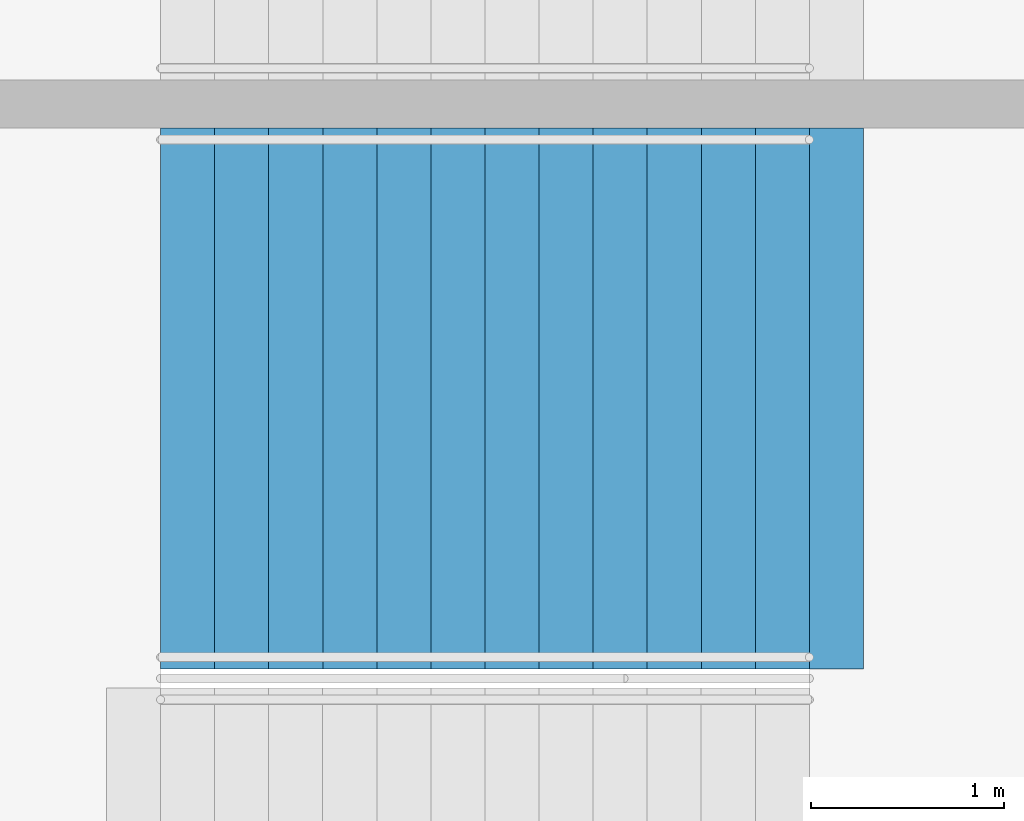
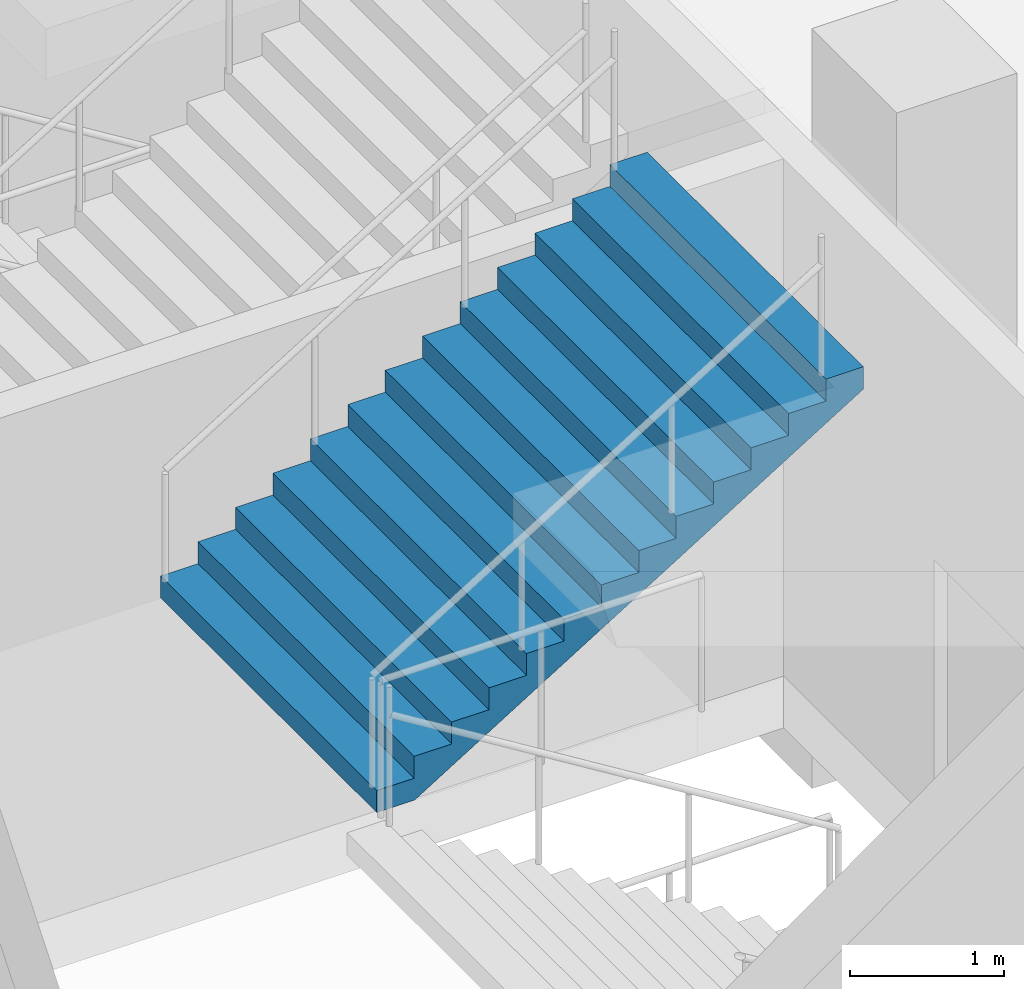
# One storey, part 114 of 199: 1 stair flight, 1 element without a shape of its own.
"""IFC4 building model written with IfcOpenShell, lengths in metres."""

from ifc_helpers import new_model, si_unit, direction, frame, origin, place, context, subcontext, project, spatial, faceted_brep, material, type_object, element, aggregate, save


model = new_model("IFC4")

# Units and contexts
model_context = context("Model", 3, precision=1e-05, world=origin(), true_north=direction((0.0, 1.0)))
body_context = subcontext(model_context, "Body", "Model", "MODEL_VIEW")
ifc_project = project(units=[si_unit("LENGTHUNIT", "METRE"), si_unit("AREAUNIT", "SQUARE_METRE"), si_unit("VOLUMEUNIT", "CUBIC_METRE"), si_unit("PLANEANGLEUNIT", "RADIAN"), si_unit("MASSUNIT", "GRAM", prefix="KILO")], contexts=[model_context])

# Site, building, storey
site_placement = place(None, origin())
site = spatial("IfcSite", under=ifc_project, at=site_placement, CompositionType="ELEMENT")
building_placement = place(site_placement, origin())
building = spatial("IfcBuilding", under=site, at=building_placement, Name="Ogive Plaza Stadium", CompositionType="ELEMENT")
storey_placement = place(building_placement, frame((0.0, 0.0, 9.0)))
storey = spatial("IfcBuildingStorey", under=building, at=storey_placement, Name="L02", CompositionType="ELEMENT", Elevation=9.0)

# Stair, stair flight
ifc_material_1 = material(Name="Concrete C40/50", Category="concrete")
stair_type = type_object("IfcStairType", Name="Exit stair", PredefinedType="STRAIGHT_RUN_STAIR", material=ifc_material_1)
stair_placement = place(storey_placement, origin())
stair = element("IfcStair", 1, at=stair_placement, inside=storey, type_object=stair_type, Name="Exit stair ST22B L02 to L03", PredefinedType="STRAIGHT_RUN_STAIR")
ifc_material_2 = material(Name="Concrete C40/50", Category="concrete")
stair_flight_type = type_object("IfcStairFlightType", Name="Exit stair flight", PredefinedType="STRAIGHT", material=ifc_material_2)
stair_flight_placement = place(storey_placement, frame((-79.7099609375, -39.02490234375, 2.25), z_axis=(0.0, 0.0, 1.0), x_axis=(1.0, 0.0, 0.0)))
stair_flight = element("IfcStairFlight", 2, at=stair_flight_placement, type_object=stair_flight_type, Name="ST22B flight 2", NumberOfRisers=13, NumberOfTreads=12, PredefinedType="STRAIGHT", RiserHeight=0.173076923, TreadLength=0.28, context=body_context, shape_type="Brep", body=[
    faceted_brep([(0.28515625, -1.39990234375, 0.0), (3.639892578125, -1.39990234375, 2.07373046875), (3.639892578125, -1.39990234375, 2.25), (3.360107421875, -1.39990234375, 2.25), (3.360107421875, -1.39990234375, 2.076904296875), (3.080078125, -1.39990234375, 2.076904296875), (3.080078125, -1.39990234375, 1.90380859375), (2.800048828125, -1.39990234375, 1.90380859375), (2.800048828125, -1.39990234375, 1.730712890625), (2.52001953125, -1.39990234375, 1.730712890625), (2.52001953125, -1.39990234375, 1.5576171875), (2.239990234375, -1.39990234375, 1.5576171875), (2.239990234375, -1.39990234375, 1.384521484375), (1.9599609375, -1.39990234375, 1.384521484375), (1.9599609375, -1.39990234375, 1.21142578125), (1.679931640625, -1.39990234375, 1.21142578125), (1.679931640625, -1.39990234375, 1.03857421875), (1.39990234375, -1.39990234375, 1.03857421875), (1.39990234375, -1.39990234375, 0.865478515625), (1.1201171875, -1.39990234375, 0.865478515625), (1.1201171875, -1.39990234375, 0.6923828125), (0.840087890625, -1.39990234375, 0.6923828125), (0.840087890625, -1.39990234375, 0.519287109375), (0.56005859375, -1.39990234375, 0.519287109375), (0.56005859375, -1.39990234375, 0.34619140625), (0.280029296875, -1.39990234375, 0.34619140625), (0.280029296875, -1.39990234375, 0.173095703125), (0.0, -1.39990234375, 0.173095703125), (0.0, -1.39990234375, 0.0), (0.0, 1.39990234375, 0.0), (0.0, 1.39990234375, 0.173095703125), (0.280029296875, 1.39990234375, 0.173095703125), (0.280029296875, 1.39990234375, 0.34619140625), (0.56005859375, 1.39990234375, 0.34619140625), (0.56005859375, 1.39990234375, 0.519287109375), (0.840087890625, 1.39990234375, 0.519287109375), (0.840087890625, 1.39990234375, 0.6923828125), (1.1201171875, 1.39990234375, 0.6923828125), (1.1201171875, 1.39990234375, 0.865478515625), (1.39990234375, 1.39990234375, 0.865478515625), (1.39990234375, 1.39990234375, 1.03857421875), (1.679931640625, 1.39990234375, 1.03857421875), (1.679931640625, 1.39990234375, 1.21142578125), (1.9599609375, 1.39990234375, 1.21142578125), (1.9599609375, 1.39990234375, 1.384521484375), (2.239990234375, 1.39990234375, 1.384521484375), (2.239990234375, 1.39990234375, 1.5576171875), (2.52001953125, 1.39990234375, 1.5576171875), (2.52001953125, 1.39990234375, 1.730712890625), (2.800048828125, 1.39990234375, 1.730712890625), (2.800048828125, 1.39990234375, 1.90380859375), (3.080078125, 1.39990234375, 1.90380859375), (3.080078125, 1.39990234375, 2.076904296875), (3.360107421875, 1.39990234375, 2.076904296875), (3.360107421875, 1.39990234375, 2.25), (3.639892578125, 1.39990234375, 2.25), (3.639892578125, 1.39990234375, 2.07373046875), (0.28515625, 1.39990234375, 0.0), (0.28515625, -1.0888671875, 0.0), (3.639892578125, -1.0888671875, 2.07373046875), (0.28515625, -0.77783203125, 0.0), (3.639892578125, -0.77783203125, 2.07373046875), (0.28515625, -0.466796875, 0.0), (3.639892578125, -0.466796875, 2.07373046875), (0.28515625, -0.155517578125, 0.0), (3.639892578125, -0.155517578125, 2.07373046875), (0.28515625, 0.155517578125, 0.0), (3.639892578125, 0.155517578125, 2.07373046875), (0.28515625, 0.466796875, 0.0), (3.639892578125, 0.466796875, 2.07373046875), (0.28515625, 0.77783203125, 0.0), (3.639892578125, 0.77783203125, 2.07373046875), (0.28515625, 1.0888671875, 0.0), (3.639892578125, 1.0888671875, 2.07373046875), (3.639892578125, -1.0888671875, 2.25), (3.639892578125, -0.77783203125, 2.25), (3.639892578125, -0.466796875, 2.25), (3.639892578125, -0.155517578125, 2.25), (3.639892578125, 0.155517578125, 2.25), (3.639892578125, 0.466796875, 2.25), (3.639892578125, 0.77783203125, 2.25), (3.639892578125, 1.0888671875, 2.25), (3.360107421875, -1.0888671875, 2.25), (3.360107421875, -0.77783203125, 2.25), (3.360107421875, -0.466796875, 2.25), (3.360107421875, -0.155517578125, 2.25), (3.360107421875, 0.155517578125, 2.25), (3.360107421875, 0.466796875, 2.25), (3.360107421875, 0.77783203125, 2.25), (3.360107421875, 1.0888671875, 2.25), (3.360107421875, -1.0888671875, 2.076904296875), (3.360107421875, -0.77783203125, 2.076904296875), (3.360107421875, -0.466796875, 2.076904296875), (3.360107421875, -0.155517578125, 2.076904296875), (3.360107421875, 0.155517578125, 2.076904296875), (3.360107421875, 0.466796875, 2.076904296875), (3.360107421875, 0.77783203125, 2.076904296875), (3.360107421875, 1.0888671875, 2.076904296875), (3.080078125, -1.0888671875, 2.076904296875), (3.080078125, -0.77783203125, 2.076904296875), (3.080078125, -0.466796875, 2.076904296875), (3.080078125, -0.155517578125, 2.076904296875), (3.080078125, 0.155517578125, 2.076904296875), (3.080078125, 0.466796875, 2.076904296875), (3.080078125, 0.77783203125, 2.076904296875), (3.080078125, 1.0888671875, 2.076904296875), (3.080078125, -1.0888671875, 1.90380859375), (3.080078125, -0.77783203125, 1.90380859375), (3.080078125, -0.466796875, 1.90380859375), (3.080078125, -0.155517578125, 1.90380859375), (3.080078125, 0.155517578125, 1.90380859375), (3.080078125, 0.466796875, 1.90380859375), (3.080078125, 0.77783203125, 1.90380859375), (3.080078125, 1.0888671875, 1.90380859375), (2.800048828125, -1.0888671875, 1.90380859375), (2.800048828125, -0.77783203125, 1.90380859375), (2.800048828125, -0.466796875, 1.90380859375), (2.800048828125, -0.155517578125, 1.90380859375), (2.800048828125, 0.155517578125, 1.90380859375), (2.800048828125, 0.466796875, 1.90380859375), (2.800048828125, 0.77783203125, 1.90380859375), (2.800048828125, 1.0888671875, 1.90380859375), (2.800048828125, -1.0888671875, 1.730712890625), (2.800048828125, -0.77783203125, 1.730712890625), (2.800048828125, -0.466796875, 1.730712890625), (2.800048828125, -0.155517578125, 1.730712890625), (2.800048828125, 0.155517578125, 1.730712890625), (2.800048828125, 0.466796875, 1.730712890625), (2.800048828125, 0.77783203125, 1.730712890625), (2.800048828125, 1.0888671875, 1.730712890625), (2.52001953125, -1.0888671875, 1.730712890625), (2.52001953125, -0.77783203125, 1.730712890625), (2.52001953125, -0.466796875, 1.730712890625), (2.52001953125, -0.155517578125, 1.730712890625), (2.52001953125, 0.155517578125, 1.730712890625), (2.52001953125, 0.466796875, 1.730712890625), (2.52001953125, 0.77783203125, 1.730712890625), (2.52001953125, 1.0888671875, 1.730712890625), (2.52001953125, -1.0888671875, 1.5576171875), (2.52001953125, -0.77783203125, 1.5576171875), (2.52001953125, -0.466796875, 1.5576171875), (2.52001953125, -0.155517578125, 1.5576171875), (2.52001953125, 0.155517578125, 1.5576171875), (2.52001953125, 0.466796875, 1.5576171875), (2.52001953125, 0.77783203125, 1.5576171875), (2.52001953125, 1.0888671875, 1.5576171875), (2.239990234375, -1.0888671875, 1.5576171875), (2.239990234375, -0.77783203125, 1.5576171875), (2.239990234375, -0.466796875, 1.5576171875), (2.239990234375, -0.155517578125, 1.5576171875), (2.239990234375, 0.155517578125, 1.5576171875), (2.239990234375, 0.466796875, 1.5576171875), (2.239990234375, 0.77783203125, 1.5576171875), (2.239990234375, 1.0888671875, 1.5576171875), (2.239990234375, -1.0888671875, 1.384521484375), (2.239990234375, -0.77783203125, 1.384521484375), (2.239990234375, -0.466796875, 1.384521484375), (2.239990234375, -0.155517578125, 1.384521484375), (2.239990234375, 0.155517578125, 1.384521484375), (2.239990234375, 0.466796875, 1.384521484375), (2.239990234375, 0.77783203125, 1.384521484375), (2.239990234375, 1.0888671875, 1.384521484375), (1.9599609375, -1.0888671875, 1.384521484375), (1.9599609375, -0.77783203125, 1.384521484375), (1.9599609375, -0.466796875, 1.384521484375), (1.9599609375, -0.155517578125, 1.384521484375), (1.9599609375, 0.155517578125, 1.384521484375), (1.9599609375, 0.466796875, 1.384521484375), (1.9599609375, 0.77783203125, 1.384521484375), (1.9599609375, 1.0888671875, 1.384521484375), (1.9599609375, -1.0888671875, 1.21142578125), (1.9599609375, -0.77783203125, 1.21142578125), (1.9599609375, -0.466796875, 1.21142578125), (1.9599609375, -0.155517578125, 1.21142578125), (1.9599609375, 0.155517578125, 1.21142578125), (1.9599609375, 0.466796875, 1.21142578125), (1.9599609375, 0.77783203125, 1.21142578125), (1.9599609375, 1.0888671875, 1.21142578125), (1.679931640625, -1.0888671875, 1.21142578125), (1.679931640625, -0.77783203125, 1.21142578125), (1.679931640625, -0.466796875, 1.21142578125), (1.679931640625, -0.155517578125, 1.21142578125), (1.679931640625, 0.155517578125, 1.21142578125), (1.679931640625, 0.466796875, 1.21142578125), (1.679931640625, 0.77783203125, 1.21142578125), (1.679931640625, 1.0888671875, 1.21142578125), (1.679931640625, -1.0888671875, 1.03857421875), (1.679931640625, -0.77783203125, 1.03857421875), (1.679931640625, -0.466796875, 1.03857421875), (1.679931640625, -0.155517578125, 1.03857421875), (1.679931640625, 0.155517578125, 1.03857421875), (1.679931640625, 0.466796875, 1.03857421875), (1.679931640625, 0.77783203125, 1.03857421875), (1.679931640625, 1.0888671875, 1.03857421875), (1.39990234375, -1.0888671875, 1.03857421875), (1.39990234375, -0.77783203125, 1.03857421875), (1.39990234375, -0.466796875, 1.03857421875), (1.39990234375, -0.155517578125, 1.03857421875), (1.39990234375, 0.155517578125, 1.03857421875), (1.39990234375, 0.466796875, 1.03857421875), (1.39990234375, 0.77783203125, 1.03857421875), (1.39990234375, 1.0888671875, 1.03857421875), (1.39990234375, -1.0888671875, 0.865478515625), (1.39990234375, -0.77783203125, 0.865478515625), (1.39990234375, -0.466796875, 0.865478515625), (1.39990234375, -0.155517578125, 0.865478515625), (1.39990234375, 0.155517578125, 0.865478515625), (1.39990234375, 0.466796875, 0.865478515625), (1.39990234375, 0.77783203125, 0.865478515625), (1.39990234375, 1.0888671875, 0.865478515625), (1.1201171875, -1.0888671875, 0.865478515625), (1.1201171875, -0.77783203125, 0.865478515625), (1.1201171875, -0.466796875, 0.865478515625), (1.1201171875, -0.155517578125, 0.865478515625), (1.1201171875, 0.155517578125, 0.865478515625), (1.1201171875, 0.466796875, 0.865478515625), (1.1201171875, 0.77783203125, 0.865478515625), (1.1201171875, 1.0888671875, 0.865478515625), (1.1201171875, -1.0888671875, 0.6923828125), (1.1201171875, -0.77783203125, 0.6923828125), (1.1201171875, -0.466796875, 0.6923828125), (1.1201171875, -0.155517578125, 0.6923828125), (1.1201171875, 0.155517578125, 0.6923828125), (1.1201171875, 0.466796875, 0.6923828125), (1.1201171875, 0.77783203125, 0.6923828125), (1.1201171875, 1.0888671875, 0.6923828125), (0.840087890625, -1.0888671875, 0.6923828125), (0.840087890625, -0.77783203125, 0.6923828125), (0.840087890625, -0.466796875, 0.6923828125), (0.840087890625, -0.155517578125, 0.6923828125), (0.840087890625, 0.155517578125, 0.6923828125), (0.840087890625, 0.466796875, 0.6923828125), (0.840087890625, 0.77783203125, 0.6923828125), (0.840087890625, 1.0888671875, 0.6923828125), (0.840087890625, -1.0888671875, 0.519287109375), (0.840087890625, -0.77783203125, 0.519287109375), (0.840087890625, -0.466796875, 0.519287109375), (0.840087890625, -0.155517578125, 0.519287109375), (0.840087890625, 0.155517578125, 0.519287109375), (0.840087890625, 0.466796875, 0.519287109375), (0.840087890625, 0.77783203125, 0.519287109375), (0.840087890625, 1.0888671875, 0.519287109375), (0.56005859375, -1.0888671875, 0.519287109375), (0.56005859375, -0.77783203125, 0.519287109375), (0.56005859375, -0.466796875, 0.519287109375), (0.56005859375, -0.155517578125, 0.519287109375), (0.56005859375, 0.155517578125, 0.519287109375), (0.56005859375, 0.466796875, 0.519287109375), (0.56005859375, 0.77783203125, 0.519287109375), (0.56005859375, 1.0888671875, 0.519287109375), (0.56005859375, -1.0888671875, 0.34619140625), (0.56005859375, -0.77783203125, 0.34619140625), (0.56005859375, -0.466796875, 0.34619140625), (0.56005859375, -0.155517578125, 0.34619140625), (0.56005859375, 0.155517578125, 0.34619140625), (0.56005859375, 0.466796875, 0.34619140625), (0.56005859375, 0.77783203125, 0.34619140625), (0.56005859375, 1.0888671875, 0.34619140625), (0.280029296875, -1.0888671875, 0.34619140625), (0.280029296875, -0.77783203125, 0.34619140625), (0.280029296875, -0.466796875, 0.34619140625), (0.280029296875, -0.155517578125, 0.34619140625), (0.280029296875, 0.155517578125, 0.34619140625), (0.280029296875, 0.466796875, 0.34619140625), (0.280029296875, 0.77783203125, 0.34619140625), (0.280029296875, 1.0888671875, 0.34619140625), (0.280029296875, -1.0888671875, 0.173095703125), (0.280029296875, -0.77783203125, 0.173095703125), (0.280029296875, -0.466796875, 0.173095703125), (0.280029296875, -0.155517578125, 0.173095703125), (0.280029296875, 0.155517578125, 0.173095703125), (0.280029296875, 0.466796875, 0.173095703125), (0.280029296875, 0.77783203125, 0.173095703125), (0.280029296875, 1.0888671875, 0.173095703125), (0.0, -1.0888671875, 0.173095703125), (0.0, -0.77783203125, 0.173095703125), (0.0, -0.466796875, 0.173095703125), (0.0, -0.155517578125, 0.173095703125), (0.0, 0.155517578125, 0.173095703125), (0.0, 0.466796875, 0.173095703125), (0.0, 0.77783203125, 0.173095703125), (0.0, 1.0888671875, 0.173095703125), (0.0, -1.0888671875, 0.0), (0.0, -0.77783203125, 0.0), (0.0, -0.466796875, 0.0), (0.0, -0.155517578125, 0.0), (0.0, 0.155517578125, 0.0), (0.0, 0.466796875, 0.0), (0.0, 0.77783203125, 0.0), (0.0, 1.0888671875, 0.0)], [[[0, 1, 2, 3, 4, 5, 6, 7, 8, 9, 10, 11, 12, 13, 14, 15, 16, 17, 18, 19, 20, 21, 22, 23, 24, 25, 26, 27, 28]], [[29, 30, 31, 32, 33, 34, 35, 36, 37, 38, 39, 40, 41, 42, 43, 44, 45, 46, 47, 48, 49, 50, 51, 52, 53, 54, 55, 56, 57]], [[0, 58, 59, 1]], [[58, 60, 61, 59]], [[60, 62, 63, 61]], [[62, 64, 65, 63]], [[64, 66, 67, 65]], [[66, 68, 69, 67]], [[68, 70, 71, 69]], [[70, 72, 73, 71]], [[72, 57, 56, 73]], [[1, 59, 74, 2]], [[59, 61, 75, 74]], [[61, 63, 76, 75]], [[63, 65, 77, 76]], [[65, 67, 78, 77]], [[67, 69, 79, 78]], [[69, 71, 80, 79]], [[71, 73, 81, 80]], [[73, 56, 55, 81]], [[2, 74, 82, 3]], [[74, 75, 83, 82]], [[75, 76, 84, 83]], [[76, 77, 85, 84]], [[77, 78, 86, 85]], [[78, 79, 87, 86]], [[79, 80, 88, 87]], [[80, 81, 89, 88]], [[81, 55, 54, 89]], [[3, 82, 90, 4]], [[82, 83, 91, 90]], [[83, 84, 92, 91]], [[84, 85, 93, 92]], [[85, 86, 94, 93]], [[86, 87, 95, 94]], [[87, 88, 96, 95]], [[88, 89, 97, 96]], [[89, 54, 53, 97]], [[4, 90, 98, 5]], [[90, 91, 99, 98]], [[91, 92, 100, 99]], [[92, 93, 101, 100]], [[93, 94, 102, 101]], [[94, 95, 103, 102]], [[95, 96, 104, 103]], [[96, 97, 105, 104]], [[97, 53, 52, 105]], [[5, 98, 106, 6]], [[98, 99, 107, 106]], [[99, 100, 108, 107]], [[100, 101, 109, 108]], [[101, 102, 110, 109]], [[102, 103, 111, 110]], [[103, 104, 112, 111]], [[104, 105, 113, 112]], [[105, 52, 51, 113]], [[6, 106, 114, 7]], [[106, 107, 115, 114]], [[107, 108, 116, 115]], [[108, 109, 117, 116]], [[109, 110, 118, 117]], [[110, 111, 119, 118]], [[111, 112, 120, 119]], [[112, 113, 121, 120]], [[113, 51, 50, 121]], [[7, 114, 122, 8]], [[114, 115, 123, 122]], [[115, 116, 124, 123]], [[116, 117, 125, 124]], [[117, 118, 126, 125]], [[118, 119, 127, 126]], [[119, 120, 128, 127]], [[120, 121, 129, 128]], [[121, 50, 49, 129]], [[8, 122, 130, 9]], [[122, 123, 131, 130]], [[123, 124, 132, 131]], [[124, 125, 133, 132]], [[125, 126, 134, 133]], [[126, 127, 135, 134]], [[127, 128, 136, 135]], [[128, 129, 137, 136]], [[129, 49, 48, 137]], [[9, 130, 138, 10]], [[130, 131, 139, 138]], [[131, 132, 140, 139]], [[132, 133, 141, 140]], [[133, 134, 142, 141]], [[134, 135, 143, 142]], [[135, 136, 144, 143]], [[136, 137, 145, 144]], [[137, 48, 47, 145]], [[10, 138, 146, 11]], [[138, 139, 147, 146]], [[139, 140, 148, 147]], [[140, 141, 149, 148]], [[141, 142, 150, 149]], [[142, 143, 151, 150]], [[143, 144, 152, 151]], [[144, 145, 153, 152]], [[145, 47, 46, 153]], [[11, 146, 154, 12]], [[146, 147, 155, 154]], [[147, 148, 156, 155]], [[148, 149, 157, 156]], [[149, 150, 158, 157]], [[150, 151, 159, 158]], [[151, 152, 160, 159]], [[152, 153, 161, 160]], [[153, 46, 45, 161]], [[12, 154, 162, 13]], [[154, 155, 163, 162]], [[155, 156, 164, 163]], [[156, 157, 165, 164]], [[157, 158, 166, 165]], [[158, 159, 167, 166]], [[159, 160, 168, 167]], [[160, 161, 169, 168]], [[161, 45, 44, 169]], [[13, 162, 170, 14]], [[162, 163, 171, 170]], [[163, 164, 172, 171]], [[164, 165, 173, 172]], [[165, 166, 174, 173]], [[166, 167, 175, 174]], [[167, 168, 176, 175]], [[168, 169, 177, 176]], [[169, 44, 43, 177]], [[14, 170, 178, 15]], [[170, 171, 179, 178]], [[171, 172, 180, 179]], [[172, 173, 181, 180]], [[173, 174, 182, 181]], [[174, 175, 183, 182]], [[175, 176, 184, 183]], [[176, 177, 185, 184]], [[177, 43, 42, 185]], [[15, 178, 186, 16]], [[178, 179, 187, 186]], [[179, 180, 188, 187]], [[180, 181, 189, 188]], [[181, 182, 190, 189]], [[182, 183, 191, 190]], [[183, 184, 192, 191]], [[184, 185, 193, 192]], [[185, 42, 41, 193]], [[16, 186, 194, 17]], [[186, 187, 195, 194]], [[187, 188, 196, 195]], [[188, 189, 197, 196]], [[189, 190, 198, 197]], [[190, 191, 199, 198]], [[191, 192, 200, 199]], [[192, 193, 201, 200]], [[193, 41, 40, 201]], [[17, 194, 202, 18]], [[194, 195, 203, 202]], [[195, 196, 204, 203]], [[196, 197, 205, 204]], [[197, 198, 206, 205]], [[198, 199, 207, 206]], [[199, 200, 208, 207]], [[200, 201, 209, 208]], [[201, 40, 39, 209]], [[18, 202, 210, 19]], [[202, 203, 211, 210]], [[203, 204, 212, 211]], [[204, 205, 213, 212]], [[205, 206, 214, 213]], [[206, 207, 215, 214]], [[207, 208, 216, 215]], [[208, 209, 217, 216]], [[209, 39, 38, 217]], [[19, 210, 218, 20]], [[210, 211, 219, 218]], [[211, 212, 220, 219]], [[212, 213, 221, 220]], [[213, 214, 222, 221]], [[214, 215, 223, 222]], [[215, 216, 224, 223]], [[216, 217, 225, 224]], [[217, 38, 37, 225]], [[20, 218, 226, 21]], [[218, 219, 227, 226]], [[219, 220, 228, 227]], [[220, 221, 229, 228]], [[221, 222, 230, 229]], [[222, 223, 231, 230]], [[223, 224, 232, 231]], [[224, 225, 233, 232]], [[225, 37, 36, 233]], [[21, 226, 234, 22]], [[226, 227, 235, 234]], [[227, 228, 236, 235]], [[228, 229, 237, 236]], [[229, 230, 238, 237]], [[230, 231, 239, 238]], [[231, 232, 240, 239]], [[232, 233, 241, 240]], [[233, 36, 35, 241]], [[22, 234, 242, 23]], [[234, 235, 243, 242]], [[235, 236, 244, 243]], [[236, 237, 245, 244]], [[237, 238, 246, 245]], [[238, 239, 247, 246]], [[239, 240, 248, 247]], [[240, 241, 249, 248]], [[241, 35, 34, 249]], [[23, 242, 250, 24]], [[242, 243, 251, 250]], [[243, 244, 252, 251]], [[244, 245, 253, 252]], [[245, 246, 254, 253]], [[246, 247, 255, 254]], [[247, 248, 256, 255]], [[248, 249, 257, 256]], [[249, 34, 33, 257]], [[24, 250, 258, 25]], [[250, 251, 259, 258]], [[251, 252, 260, 259]], [[252, 253, 261, 260]], [[253, 254, 262, 261]], [[254, 255, 263, 262]], [[255, 256, 264, 263]], [[256, 257, 265, 264]], [[257, 33, 32, 265]], [[25, 258, 266, 26]], [[258, 259, 267, 266]], [[259, 260, 268, 267]], [[260, 261, 269, 268]], [[261, 262, 270, 269]], [[262, 263, 271, 270]], [[263, 264, 272, 271]], [[264, 265, 273, 272]], [[265, 32, 31, 273]], [[26, 266, 274, 27]], [[266, 267, 275, 274]], [[267, 268, 276, 275]], [[268, 269, 277, 276]], [[269, 270, 278, 277]], [[270, 271, 279, 278]], [[271, 272, 280, 279]], [[272, 273, 281, 280]], [[273, 31, 30, 281]], [[27, 274, 282, 28]], [[274, 275, 283, 282]], [[275, 276, 284, 283]], [[276, 277, 285, 284]], [[277, 278, 286, 285]], [[278, 279, 287, 286]], [[279, 280, 288, 287]], [[280, 281, 289, 288]], [[281, 30, 29, 289]], [[28, 282, 58, 0]], [[282, 283, 60, 58]], [[283, 284, 62, 60]], [[284, 285, 64, 62]], [[285, 286, 66, 64]], [[286, 287, 68, 66]], [[287, 288, 70, 68]], [[288, 289, 72, 70]], [[289, 29, 57, 72]]]),
])
aggregate(stair, [stair_flight])

save(model, "model.ifc")
